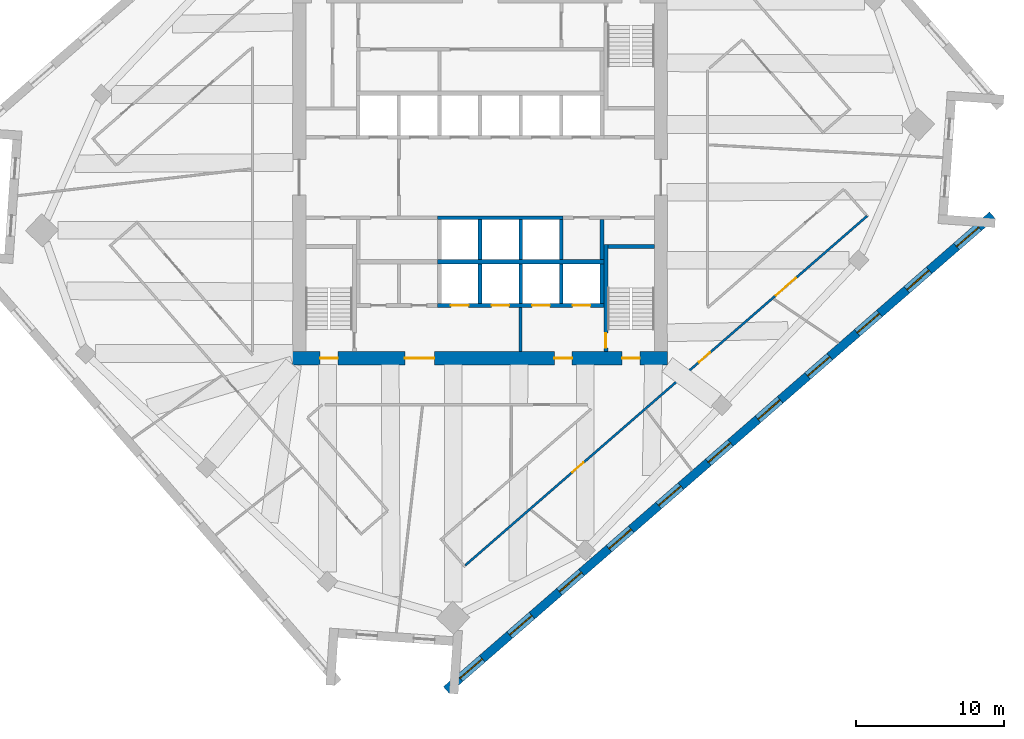
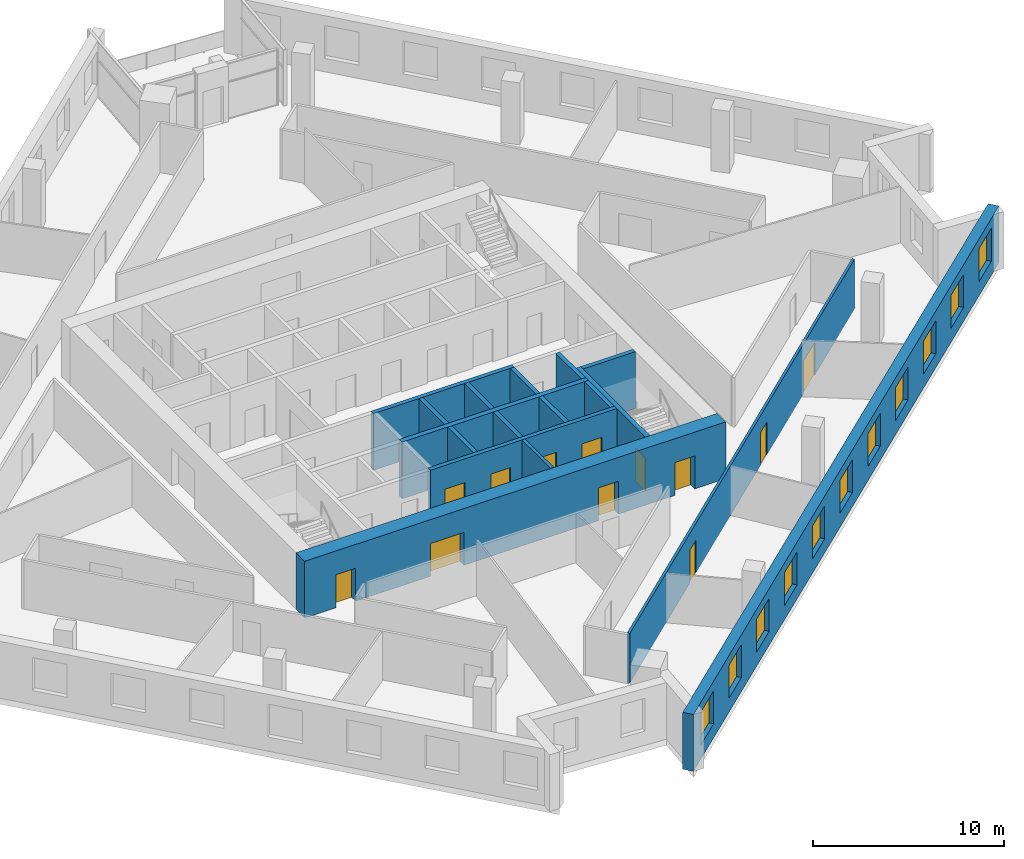
# One storey, part 5 of 11: 17 walls, 12 doors, 11 windows, 23 openings.
"""IFC4 building model written with IfcOpenShell, lengths in metres."""

from ifc_helpers import new_model, si_unit, direction, frame, frame_2d, origin, place, context, subcontext, project, spatial, rectangle, extrude, material, layer, layer_set, type_object, element, fill, save


model = new_model("IFC4")

# Units and contexts
model_context = context("Model", 3, precision=1e-05, world=origin(), true_north=direction((0.0, 1.0)))
body_context = subcontext(model_context, "Body", "Model", "MODEL_VIEW")
ifc_project = project(units=[si_unit("LENGTHUNIT", "METRE"), si_unit("AREAUNIT", "SQUARE_METRE"), si_unit("VOLUMEUNIT", "CUBIC_METRE"), si_unit("PLANEANGLEUNIT", "RADIAN"), si_unit("MASSUNIT", "GRAM", prefix="KILO")], contexts=[model_context])

# Site, building, storey
site_placement = place(None, origin())
site = spatial("IfcSite", under=ifc_project, at=site_placement, CompositionType="ELEMENT")
building_placement = place(site_placement, origin())
building = spatial("IfcBuilding", under=site, at=building_placement, Name="Dilmun Exchange Tower", CompositionType="ELEMENT")
storey_placement = place(building_placement, frame((0.0, 0.0, 193.300048828125)))
storey = spatial("IfcBuildingStorey", under=building, at=storey_placement, Name="L45", CompositionType="ELEMENT", Elevation=193.300048828125)

# Walls
ifc_material_1 = material(Name="Concrete C40/50", Category="concrete")
ifc_layer_1 = layer(ifc_material_1, 0.199951171875)
ifc_layer_set_1 = layer_set([ifc_layer_1], Name="Concrete C40/50")
wall_type_1 = type_object("IfcWallType", Name="Core partition wall 200", PredefinedType="PARTITIONING", material=ifc_layer_set_1)
wall_1_placement = place(storey_placement, frame((2.75, -11.794921875, 0.0), z_axis=(0.0, 0.0, 1.0), x_axis=(0.0, 1.0, 0.0)))
element("IfcWall", 1, at=wall_1_placement, inside=storey, type_object=wall_type_1, Name="L45 core partition wall 01", PredefinedType="PARTITIONING", context=body_context, shape_type="SweptSolid", body=[
    extrude(rectangle(XDim=2.989990234375, YDim=0.199951171875, at=frame_2d((1.4951171875, 0.0))), origin(), (0.0, 0.0, 1.0), 3.619873046875),
])
ifc_layer_2 = layer(ifc_material_1, 0.25)
ifc_layer_set_2 = layer_set([ifc_layer_2], Name="Concrete C40/50")
wall_type_2 = type_object("IfcWallType", Name="Core partition wall 250", PredefinedType="PARTITIONING", material=ifc_layer_set_2)
wall_2_placement = place(storey_placement, frame((8.25, -5.544921875, 0.0), z_axis=(0.0, 0.0, 1.0), x_axis=(0.0, 1.0, 0.0)))
element("IfcWall", 2, at=wall_2_placement, inside=storey, type_object=wall_type_2, Name="L45 core partition wall 07", PredefinedType="PARTITIONING", context=body_context, shape_type="SweptSolid", body=[
    extrude(rectangle(XDim=2.68994140625, YDim=0.25, at=frame_2d((1.344970703125, 0.0))), origin(), (0.0, 0.0, 1.0), 3.619873046875),
])

# Wall, openings, doors
ifc_material_2 = material(Name="Concrete C60/75", Category="concrete")
ifc_layer_3 = layer(ifc_material_2, 0.89990234375)
ifc_layer_set_3 = layer_set([ifc_layer_3], Name="Concrete C60/75")
wall_type_3 = type_object("IfcWallType", Name="Core shear wall 900 Concrete C60/75", PredefinedType="SHEAR", material=ifc_layer_set_3)
wall_3_placement = place(storey_placement, frame((-12.699951171875, -12.25, 0.0), z_axis=(0.0, 0.0, 1.0), x_axis=(1.0, 0.0, 0.0)))
wall_3 = element("IfcWall", 3, at=wall_3_placement, inside=storey, type_object=wall_type_3, Name="L45 core shear wall S", PredefinedType="SHEAR", context=body_context, shape_type="SweptSolid", body=[
    extrude(rectangle(XDim=25.39990234375, YDim=0.89990234375, at=frame_2d((12.699951171875, 0.0))), origin(), (0.0, 0.0, 1.0), 3.619873046875),
])
opening_1_placement = place(wall_3_placement, frame((7.60009765625, 0.0, 0.0)))
opening_1 = element("IfcOpeningElement", 4, at=opening_1_placement, cuts=wall_3, Name="Opening CD2", PredefinedType="OPENING", context=body_context, shape_type="SweptSolid", body=[
    extrude(rectangle(XDim=2.0, YDim=2.10009765625, at=frame_2d((1.0, 1.050048828125))), frame((0.0, 0.4599609375, 0.0), z_axis=(0.0, -1.0, 0.0), x_axis=(1.0, 0.0, 0.0)), (0.0, 0.0, 1.0), 0.919921875),
])
opening_2_placement = place(wall_3_placement, frame((17.72509765625, 0.0, 0.0)))
opening_2 = element("IfcOpeningElement", 5, at=opening_2_placement, cuts=wall_3, Name="Opening CD3", PredefinedType="OPENING", context=body_context, shape_type="SweptSolid", body=[
    extrude(rectangle(XDim=1.199951171875, YDim=2.10009765625, at=frame_2d((0.60009765625, 1.050048828125))), frame((0.0, 0.4599609375, 0.0), z_axis=(0.0, -1.0, 0.0), x_axis=(1.0, 0.0, 0.0)), (0.0, 0.0, 1.0), 0.919921875),
])
opening_3_placement = place(wall_3_placement, frame((1.875, 0.0, 0.0)))
opening_3 = element("IfcOpeningElement", 6, at=opening_3_placement, cuts=wall_3, Name="Opening CD3", PredefinedType="OPENING", context=body_context, shape_type="SweptSolid", body=[
    extrude(rectangle(XDim=1.199951171875, YDim=2.10009765625, at=frame_2d((0.60009765625, 1.050048828125))), frame((0.0, 0.4599609375, 0.0), z_axis=(0.0, -1.0, 0.0), x_axis=(1.0, 0.0, 0.0)), (0.0, 0.0, 1.0), 0.919921875),
])
opening_4_placement = place(wall_3_placement, frame((22.324951171875, 0.0, 0.0)))
opening_4 = element("IfcOpeningElement", 7, at=opening_4_placement, cuts=wall_3, Name="Opening CD3", PredefinedType="OPENING", context=body_context, shape_type="SweptSolid", body=[
    extrude(rectangle(XDim=1.199951171875, YDim=2.10009765625, at=frame_2d((0.60009765625, 1.050048828125))), frame((0.0, 0.4599609375, 0.0), z_axis=(0.0, -1.0, 0.0), x_axis=(1.0, 0.0, 0.0)), (0.0, 0.0, 1.0), 0.919921875),
])
ifc_material_3 = material(Name="Fire-rated steel door set", Category="steel")
door_type_1 = type_object("IfcDoorType", Name="Core service door 2000x2100", OperationType="DOUBLE_DOOR_DOUBLE_SWING", PredefinedType="DOOR", material=ifc_material_3)
door_1_placement = place(opening_1_placement, origin())
door_1 = element("IfcDoor", 8, at=door_1_placement, inside=storey, type_object=door_type_1, Name="L45 door South service lobby", OperationType="SINGLE_SWING_LEFT", OverallHeight=2.10009765625, OverallWidth=2.0, PredefinedType="DOOR", context=body_context, shape_type="SweptSolid", body=[
    extrude(rectangle(XDim=2.0, YDim=2.10009765625, at=frame_2d((1.0, 1.050048828125))), frame((0.0, 0.02490234375, 0.0), z_axis=(0.0, -1.0, 0.0), x_axis=(1.0, 0.0, 0.0)), (0.0, 0.0, 1.0), 0.050048828125),
])
fill(opening_1, door_1)
door_type_2 = type_object("IfcDoorType", Name="Stair exit door 1200x2100", OperationType="SINGLE_SWING_LEFT", PredefinedType="DOOR", material=ifc_material_3)
door_2_placement = place(opening_2_placement, origin())
door_2 = element("IfcDoor", 9, at=door_2_placement, inside=storey, type_object=door_type_2, Name="L45 door Fire-fighting lobby", OperationType="SINGLE_SWING_LEFT", OverallHeight=2.10009765625, OverallWidth=1.199951171875, PredefinedType="DOOR", context=body_context, shape_type="SweptSolid", body=[
    extrude(rectangle(XDim=1.199951171875, YDim=2.10009765625, at=frame_2d((0.60009765625, 1.050048828125))), frame((0.0, 0.02490234375, 0.0), z_axis=(0.0, -1.0, 0.0), x_axis=(1.0, 0.0, 0.0)), (0.0, 0.0, 1.0), 0.050048828125),
])
fill(opening_2, door_2)
door_3_placement = place(opening_3_placement, origin())
door_3 = element("IfcDoor", 10, at=door_3_placement, inside=storey, type_object=door_type_2, Name="L45 door Stair ST2", OperationType="SINGLE_SWING_LEFT", OverallHeight=2.10009765625, OverallWidth=1.199951171875, PredefinedType="DOOR", context=body_context, shape_type="SweptSolid", body=[
    extrude(rectangle(XDim=1.199951171875, YDim=2.10009765625, at=frame_2d((0.60009765625, 1.050048828125))), frame((0.0, 0.02490234375, 0.0), z_axis=(0.0, -1.0, 0.0), x_axis=(1.0, 0.0, 0.0)), (0.0, 0.0, 1.0), 0.050048828125),
])
fill(opening_3, door_3)
door_4_placement = place(opening_4_placement, origin())
door_4 = element("IfcDoor", 11, at=door_4_placement, inside=storey, type_object=door_type_2, Name="L45 door Stair ST3", OperationType="SINGLE_SWING_LEFT", OverallHeight=2.10009765625, OverallWidth=1.199951171875, PredefinedType="DOOR", context=body_context, shape_type="SweptSolid", body=[
    extrude(rectangle(XDim=1.199951171875, YDim=2.10009765625, at=frame_2d((0.60009765625, 1.050048828125))), frame((0.0, 0.02490234375, 0.0), z_axis=(0.0, -1.0, 0.0), x_axis=(1.0, 0.0, 0.0)), (0.0, 0.0, 1.0), 0.050048828125),
])
fill(opening_4, door_4)

ifc_material_4 = material(Name="Corridor wall 150")
ifc_layer_4 = layer(ifc_material_4, 0.14990234375)
ifc_layer_set_4 = layer_set([ifc_layer_4], Name="Corridor wall 150")
wall_type_4 = type_object("IfcWallType", Name="Corridor wall 150", PredefinedType="PARTITIONING", material=ifc_layer_set_4)
wall_4_placement = place(storey_placement, frame((-1.00048828125, -26.267822265625, 0.0), z_axis=(0.0, 0.0, 1.0), x_axis=(0.754711356604, 0.656056985492, 0.0)))
wall_4 = element("IfcWall", 12, at=wall_4_placement, inside=storey, type_object=wall_type_4, Name="Corridor wall", PredefinedType="PARTITIONING", context=body_context, shape_type="SweptSolid", body=[
    extrude(rectangle(XDim=36.051513671875, YDim=0.14990234375, at=frame_2d((18.02587890625, 0.0))), origin(), (0.0, 0.0, 1.0), 3.169921875),
])
opening_5_placement = place(wall_4_placement, frame((9.597900390625, 0.0, 0.0)))
opening_5 = element("IfcOpeningElement", 13, at=opening_5_placement, cuts=wall_4, Name="Opening TF44-D13", PredefinedType="OPENING", context=body_context, shape_type="SweptSolid", body=[
    extrude(rectangle(XDim=1.0, YDim=2.10009765625, at=frame_2d((0.5, 1.050048828125))), frame((0.0, 0.0849609375, 0.0), z_axis=(0.0, -1.0, 0.0), x_axis=(1.0, 0.0, 0.0)), (0.0, 0.0, 1.0), 0.169921875),
])
opening_6_placement = place(wall_4_placement, frame((20.957275390625, 0.0, 0.0)))
opening_6 = element("IfcOpeningElement", 14, at=opening_6_placement, cuts=wall_4, Name="Opening TF44-D14", PredefinedType="OPENING", context=body_context, shape_type="SweptSolid", body=[
    extrude(rectangle(XDim=1.0, YDim=2.10009765625, at=frame_2d((0.5, 1.050048828125))), frame((0.0, 0.0849609375, 0.0), z_axis=(0.0, -1.0, 0.0), x_axis=(1.0, 0.0, 0.0)), (0.0, 0.0, 1.0), 0.169921875),
])
opening_7_placement = place(wall_4_placement, frame((27.86962890625, 0.0, 0.0)))
opening_7 = element("IfcOpeningElement", 15, at=opening_7_placement, cuts=wall_4, Name="Opening TF44-D15", PredefinedType="OPENING", context=body_context, shape_type="SweptSolid", body=[
    extrude(rectangle(XDim=1.800048828125, YDim=2.10009765625, at=frame_2d((0.89990234375, 1.050048828125))), frame((0.0, 0.0849609375, 0.0), z_axis=(0.0, -1.0, 0.0), x_axis=(1.0, 0.0, 0.0)), (0.0, 0.0, 1.0), 0.169921875),
])
ifc_material_5 = material(Name="Fire door 1000 x 2100")
door_type_3 = type_object("IfcDoorType", Name="Fire door 1000 x 2100", OperationType="NOTDEFINED", PredefinedType="DOOR", material=ifc_material_5)
door_5_placement = place(opening_5_placement, frame((1.0, 0.0, 0.0), z_axis=(0.0, 0.0, 1.0), x_axis=(-1.0, 0.0, 0.0)))
door_5 = element("IfcDoor", 16, at=door_5_placement, inside=storey, type_object=door_type_3, Name="Door TF44-D13", OperationType="SINGLE_SWING_LEFT", OverallHeight=2.10009765625, OverallWidth=1.0, PredefinedType="DOOR", context=body_context, shape_type="SweptSolid", body=[
    extrude(rectangle(XDim=1.0, YDim=2.10009765625, at=frame_2d((0.5, 1.050048828125))), frame((0.0, 0.02490234375, 0.0), z_axis=(0.0, -1.0, 0.0), x_axis=(1.0, 0.0, 0.0)), (0.0, 0.0, 1.0), 0.050048828125),
])
fill(opening_5, door_5)
door_6_placement = place(opening_6_placement, frame((1.0, 0.0, 0.0), z_axis=(0.0, 0.0, 1.0), x_axis=(-1.0, 0.0, 0.0)))
door_6 = element("IfcDoor", 17, at=door_6_placement, inside=storey, type_object=door_type_3, Name="Door TF44-D14", OperationType="SINGLE_SWING_LEFT", OverallHeight=2.10009765625, OverallWidth=1.0, PredefinedType="DOOR", context=body_context, shape_type="SweptSolid", body=[
    extrude(rectangle(XDim=1.0, YDim=2.10009765625, at=frame_2d((0.5, 1.050048828125))), frame((0.0, 0.02490234375, 0.0), z_axis=(0.0, -1.0, 0.0), x_axis=(1.0, 0.0, 0.0)), (0.0, 0.0, 1.0), 0.050048828125),
])
fill(opening_6, door_6)
ifc_material_6 = material(Name="Fire door pair 1800 x 2100")
door_type_4 = type_object("IfcDoorType", Name="Fire door pair 1800 x 2100", OperationType="NOTDEFINED", PredefinedType="DOOR", material=ifc_material_6)
door_7_placement = place(opening_7_placement, frame((1.800048828125, 0.0, 0.0), z_axis=(0.0, 0.0, 1.0), x_axis=(-1.0, 0.0, 0.0)))
door_7 = element("IfcDoor", 18, at=door_7_placement, inside=storey, type_object=door_type_4, Name="Door TF44-D15", OperationType="DOUBLE_DOOR_SINGLE_SWING", OverallHeight=2.10009765625, OverallWidth=1.800048828125, PredefinedType="DOOR", context=body_context, shape_type="SweptSolid", body=[
    extrude(rectangle(XDim=1.800048828125, YDim=2.10009765625, at=frame_2d((0.89990234375, 1.050048828125))), frame((0.0, 0.02490234375, 0.0), z_axis=(0.0, -1.0, 0.0), x_axis=(1.0, 0.0, 0.0)), (0.0, 0.0, 1.0), 0.050048828125),
])
fill(opening_7, door_7)

# Walls
ifc_layer_5 = layer(ifc_material_1, 0.300048828125)
ifc_layer_set_5 = layer_set([ifc_layer_5], Name="Concrete C40/50")
wall_type_5 = type_object("IfcWallType", Name="Lift shaft shared wall 300", PredefinedType="SOLIDWALL", material=ifc_layer_set_5)
wall_5_placement = place(storey_placement, frame((-2.875, -5.699951171875, 0.0), z_axis=(0.0, 0.0, 1.0), x_axis=(1.0, 0.0, 0.0)))
element("IfcWall", 19, at=wall_5_placement, inside=storey, type_object=wall_type_5, Name="L45 lift shaft rear wall S", PredefinedType="SOLIDWALL", context=body_context, shape_type="SweptSolid", body=[
    extrude(rectangle(XDim=11.25, YDim=0.300048828125, at=frame_2d((5.625, 0.0))), origin(), (0.0, 0.0, 1.0), 3.619873046875),
])
ifc_layer_6 = layer(ifc_material_1, 0.25)
ifc_layer_set_6 = layer_set([ifc_layer_6], Name="Concrete C40/50")
wall_type_6 = type_object("IfcWallType", Name="Lift shaft wall 250", PredefinedType="SOLIDWALL", material=ifc_layer_set_6)
wall_6_placement = place(storey_placement, frame((-2.875, -2.72509765625, 0.0), z_axis=(0.0, 0.0, 1.0), x_axis=(1.0, 0.0, 0.0)))
element("IfcWall", 20, at=wall_6_placement, inside=storey, type_object=wall_type_6, Name="L45 lift shaft front wall S1", PredefinedType="SOLIDWALL", context=body_context, shape_type="SweptSolid", body=[
    extrude(rectangle(XDim=8.5, YDim=0.25, at=frame_2d((4.25, 0.0))), origin(), (0.0, 0.0, 1.0), 3.619873046875),
])
for number, where, z_axis, x_axis, name in (
    (21, (0.0, -5.550048828125, 0.0), (0.0, 0.0, 1.0), (0.0, 1.0, 0.0), "L45 lift shaft divider S13"),
    (22, (2.75, -5.550048828125, 0.0), (0.0, 0.0, 1.0), (0.0, 1.0, 0.0), "L45 lift shaft divider S14"),
    (23, (5.5, -5.550048828125, 0.0), (0.0, 0.0, 1.0), (0.0, 1.0, 0.0), "L45 lift shaft divider S15"),
):
    element("IfcWall", number, at=place(storey_placement, frame(where, z_axis=z_axis, x_axis=x_axis)), inside=storey, type_object=wall_type_6, Name=name, PredefinedType="SOLIDWALL", context=body_context, shape_type="SweptSolid", body=[
        extrude(rectangle(XDim=2.699951171875, YDim=0.25, at=frame_2d((1.35009765625, 0.0))), origin(), (0.0, 0.0, 1.0), 3.619873046875),
    ])

# Wall, openings, doors
wall_7_placement = place(storey_placement, frame((-2.875, -8.675048828125, 0.0), z_axis=(0.0, 0.0, 1.0), x_axis=(1.0, 0.0, 0.0)))
wall_7 = element("IfcWall", 24, at=wall_7_placement, inside=storey, type_object=wall_type_6, Name="L45 lift shaft front wall S2", PredefinedType="SOLIDWALL", context=body_context, shape_type="SweptSolid", body=[
    extrude(rectangle(XDim=11.25, YDim=0.25, at=frame_2d((5.625, 0.0))), origin(), (0.0, 0.0, 1.0), 3.619873046875),
])
opening_8_placement = place(wall_7_placement, frame((0.89990234375, 0.0, 0.0)))
opening_8 = element("IfcOpeningElement", 25, at=opening_8_placement, cuts=wall_7, Name="Opening LD", PredefinedType="OPENING", context=body_context, shape_type="SweptSolid", body=[
    extrude(rectangle(XDim=1.199951171875, YDim=2.10009765625, at=frame_2d((0.60009765625, 1.050048828125))), frame((0.0, 0.135009765625, 0.0), z_axis=(0.0, -1.0, 0.0), x_axis=(1.0, 0.0, 0.0)), (0.0, 0.0, 1.0), 0.27001953125),
])
opening_9_placement = place(wall_7_placement, frame((3.64990234375, 0.0, 0.0)))
opening_9 = element("IfcOpeningElement", 26, at=opening_9_placement, cuts=wall_7, Name="Opening LD", PredefinedType="OPENING", context=body_context, shape_type="SweptSolid", body=[
    extrude(rectangle(XDim=1.199951171875, YDim=2.10009765625, at=frame_2d((0.60009765625, 1.050048828125))), frame((0.0, 0.135009765625, 0.0), z_axis=(0.0, -1.0, 0.0), x_axis=(1.0, 0.0, 0.0)), (0.0, 0.0, 1.0), 0.27001953125),
])
opening_10_placement = place(wall_7_placement, frame((6.39990234375, 0.0, 0.0)))
opening_10 = element("IfcOpeningElement", 27, at=opening_10_placement, cuts=wall_7, Name="Opening LD", PredefinedType="OPENING", context=body_context, shape_type="SweptSolid", body=[
    extrude(rectangle(XDim=1.199951171875, YDim=2.10009765625, at=frame_2d((0.60009765625, 1.050048828125))), frame((0.0, 0.135009765625, 0.0), z_axis=(0.0, -1.0, 0.0), x_axis=(1.0, 0.0, 0.0)), (0.0, 0.0, 1.0), 0.27001953125),
])
opening_11_placement = place(wall_7_placement, frame((9.14990234375, 0.0, 0.0)))
opening_11 = element("IfcOpeningElement", 28, at=opening_11_placement, cuts=wall_7, Name="Opening LD", PredefinedType="OPENING", context=body_context, shape_type="SweptSolid", body=[
    extrude(rectangle(XDim=1.199951171875, YDim=2.10009765625, at=frame_2d((0.60009765625, 1.050048828125))), frame((0.0, 0.135009765625, 0.0), z_axis=(0.0, -1.0, 0.0), x_axis=(1.0, 0.0, 0.0)), (0.0, 0.0, 1.0), 0.27001953125),
])
door_type_5 = type_object("IfcDoorType", Name="Lift landing door 1200x2100", OperationType="DOUBLE_DOOR_SLIDING", PredefinedType="DOOR", material=ifc_material_3)
door_8_placement = place(opening_8_placement, origin())
door_8 = element("IfcDoor", 29, at=door_8_placement, inside=storey, type_object=door_type_5, Name="L45 landing door SV1", OperationType="DOUBLE_DOOR_SLIDING", OverallHeight=2.10009765625, OverallWidth=1.199951171875, PredefinedType="DOOR", context=body_context, shape_type="SweptSolid", body=[
    extrude(rectangle(XDim=1.199951171875, YDim=2.10009765625, at=frame_2d((0.60009765625, 1.050048828125))), frame((0.0, 0.02490234375, 0.0), z_axis=(0.0, -1.0, 0.0), x_axis=(1.0, 0.0, 0.0)), (0.0, 0.0, 1.0), 0.050048828125),
])
fill(opening_8, door_8)
door_9_placement = place(opening_9_placement, origin())
door_9 = element("IfcDoor", 30, at=door_9_placement, inside=storey, type_object=door_type_5, Name="L45 landing door SV2", OperationType="DOUBLE_DOOR_SLIDING", OverallHeight=2.10009765625, OverallWidth=1.199951171875, PredefinedType="DOOR", context=body_context, shape_type="SweptSolid", body=[
    extrude(rectangle(XDim=1.199951171875, YDim=2.10009765625, at=frame_2d((0.60009765625, 1.050048828125))), frame((0.0, 0.02490234375, 0.0), z_axis=(0.0, -1.0, 0.0), x_axis=(1.0, 0.0, 0.0)), (0.0, 0.0, 1.0), 0.050048828125),
])
fill(opening_9, door_9)
door_10_placement = place(opening_10_placement, origin())
door_10 = element("IfcDoor", 31, at=door_10_placement, inside=storey, type_object=door_type_5, Name="L45 landing door FF1", OperationType="DOUBLE_DOOR_SLIDING", OverallHeight=2.10009765625, OverallWidth=1.199951171875, PredefinedType="DOOR", context=body_context, shape_type="SweptSolid", body=[
    extrude(rectangle(XDim=1.199951171875, YDim=2.10009765625, at=frame_2d((0.60009765625, 1.050048828125))), frame((0.0, 0.02490234375, 0.0), z_axis=(0.0, -1.0, 0.0), x_axis=(1.0, 0.0, 0.0)), (0.0, 0.0, 1.0), 0.050048828125),
])
fill(opening_10, door_10)
door_11_placement = place(opening_11_placement, origin())
door_11 = element("IfcDoor", 32, at=door_11_placement, inside=storey, type_object=door_type_5, Name="L45 landing door FF2", OperationType="DOUBLE_DOOR_SLIDING", OverallHeight=2.10009765625, OverallWidth=1.199951171875, PredefinedType="DOOR", context=body_context, shape_type="SweptSolid", body=[
    extrude(rectangle(XDim=1.199951171875, YDim=2.10009765625, at=frame_2d((0.60009765625, 1.050048828125))), frame((0.0, 0.02490234375, 0.0), z_axis=(0.0, -1.0, 0.0), x_axis=(1.0, 0.0, 0.0)), (0.0, 0.0, 1.0), 0.050048828125),
])
fill(opening_11, door_11)

# Walls
for number, where, z_axis, x_axis, name in (
    (33, (0.0, -8.550048828125, 0.0), (0.0, 0.0, 1.0), (0.0, 1.0, 0.0), "L45 lift shaft divider S23"),
    (34, (2.75, -8.550048828125, 0.0), (0.0, 0.0, 1.0), (0.0, 1.0, 0.0), "L45 lift shaft divider S24"),
    (35, (5.5, -8.550048828125, 0.0), (0.0, 0.0, 1.0), (0.0, 1.0, 0.0), "L45 lift shaft divider S25"),
    (36, (8.25, -8.550048828125, 0.0), (0.0, 0.0, 1.0), (0.0, 1.0, 0.0), "L45 lift shaft divider S26"),
):
    element("IfcWall", number, at=place(storey_placement, frame(where, z_axis=z_axis, x_axis=x_axis)), inside=storey, type_object=wall_type_6, Name=name, PredefinedType="SOLIDWALL", context=body_context, shape_type="SweptSolid", body=[
        extrude(rectangle(XDim=2.699951171875, YDim=0.25, at=frame_2d((1.35009765625, 0.0))), origin(), (0.0, 0.0, 1.0), 3.619873046875),
    ])

# Wall, openings, windows
ifc_material_7 = material(Name="Precast concrete C50/60", Category="concrete")
ifc_layer_7 = layer(ifc_material_7, 0.60009765625)
ifc_layer_set_7 = layer_set([ifc_layer_7], Name="Precast concrete C50/60")
wall_type_7 = type_object("IfcWallType", Name="Precast stone-clad wall 600", PredefinedType="STANDARD", material=ifc_layer_set_7)
wall_8_placement = place(storey_placement, frame((-2.28564453125, -34.71484375, 0.0), z_axis=(0.0, 0.0, 1.0), x_axis=(0.754708272811, 0.656060532993, 0.0)))
wall_8 = element("IfcWall", 37, at=wall_8_placement, inside=storey, type_object=wall_type_7, Name="Facade wall L45-11", PredefinedType="STANDARD", context=body_context, shape_type="SweptSolid", body=[
    extrude(rectangle(XDim=49.0, YDim=0.60009765625, at=frame_2d((24.5, 0.0))), origin(), (0.0, 0.0, 1.0), 3.619873046875),
])
opening_12_placement = place(wall_8_placement, frame((1.227294921875, 0.0, 0.89990234375)))
opening_12 = element("IfcOpeningElement", 38, at=opening_12_placement, cuts=wall_8, Name="Opening W200-210", PredefinedType="OPENING", context=body_context, shape_type="SweptSolid", body=[
    extrude(rectangle(XDim=2.0, YDim=2.10009765625, at=frame_2d((1.0, 1.050048828125))), frame((0.0, 0.31005859375, 0.0), z_axis=(0.0, -1.0, 0.0), x_axis=(1.0, 0.0, 0.0)), (0.0, 0.0, 1.0), 0.6201171875),
])
opening_13_placement = place(wall_8_placement, frame((5.681884765625, 0.0, 0.89990234375)))
opening_13 = element("IfcOpeningElement", 39, at=opening_13_placement, cuts=wall_8, Name="Opening W200-210", PredefinedType="OPENING", context=body_context, shape_type="SweptSolid", body=[
    extrude(rectangle(XDim=2.0, YDim=2.10009765625, at=frame_2d((1.0, 1.050048828125))), frame((0.0, 0.31005859375, 0.0), z_axis=(0.0, -1.0, 0.0), x_axis=(1.0, 0.0, 0.0)), (0.0, 0.0, 1.0), 0.6201171875),
])
opening_14_placement = place(wall_8_placement, frame((10.136474609375, 0.0, 0.89990234375)))
opening_14 = element("IfcOpeningElement", 40, at=opening_14_placement, cuts=wall_8, Name="Opening W200-210", PredefinedType="OPENING", context=body_context, shape_type="SweptSolid", body=[
    extrude(rectangle(XDim=2.0, YDim=2.10009765625, at=frame_2d((1.0, 1.050048828125))), frame((0.0, 0.31005859375, 0.0), z_axis=(0.0, -1.0, 0.0), x_axis=(1.0, 0.0, 0.0)), (0.0, 0.0, 1.0), 0.6201171875),
])
opening_15_placement = place(wall_8_placement, frame((14.5908203125, 0.0, 0.89990234375)))
opening_15 = element("IfcOpeningElement", 41, at=opening_15_placement, cuts=wall_8, Name="Opening W200-210", PredefinedType="OPENING", context=body_context, shape_type="SweptSolid", body=[
    extrude(rectangle(XDim=2.0, YDim=2.10009765625, at=frame_2d((1.0, 1.050048828125))), frame((0.0, 0.31005859375, 0.0), z_axis=(0.0, -1.0, 0.0), x_axis=(1.0, 0.0, 0.0)), (0.0, 0.0, 1.0), 0.6201171875),
])
opening_16_placement = place(wall_8_placement, frame((19.04541015625, 0.0, 0.89990234375)))
opening_16 = element("IfcOpeningElement", 42, at=opening_16_placement, cuts=wall_8, Name="Opening W200-210", PredefinedType="OPENING", context=body_context, shape_type="SweptSolid", body=[
    extrude(rectangle(XDim=2.0, YDim=2.10009765625, at=frame_2d((1.0, 1.050048828125))), frame((0.0, 0.31005859375, 0.0), z_axis=(0.0, -1.0, 0.0), x_axis=(1.0, 0.0, 0.0)), (0.0, 0.0, 1.0), 0.6201171875),
])
opening_17_placement = place(wall_8_placement, frame((23.5, 0.0, 0.89990234375)))
opening_17 = element("IfcOpeningElement", 43, at=opening_17_placement, cuts=wall_8, Name="Opening W200-210", PredefinedType="OPENING", context=body_context, shape_type="SweptSolid", body=[
    extrude(rectangle(XDim=2.0, YDim=2.10009765625, at=frame_2d((1.0, 1.050048828125))), frame((0.0, 0.31005859375, 0.0), z_axis=(0.0, -1.0, 0.0), x_axis=(1.0, 0.0, 0.0)), (0.0, 0.0, 1.0), 0.6201171875),
])
opening_18_placement = place(wall_8_placement, frame((27.95458984375, 0.0, 0.89990234375)))
opening_18 = element("IfcOpeningElement", 44, at=opening_18_placement, cuts=wall_8, Name="Opening W200-210", PredefinedType="OPENING", context=body_context, shape_type="SweptSolid", body=[
    extrude(rectangle(XDim=2.0, YDim=2.10009765625, at=frame_2d((1.0, 1.050048828125))), frame((0.0, 0.31005859375, 0.0), z_axis=(0.0, -1.0, 0.0), x_axis=(1.0, 0.0, 0.0)), (0.0, 0.0, 1.0), 0.6201171875),
])
opening_19_placement = place(wall_8_placement, frame((32.4091796875, 0.0, 0.89990234375)))
opening_19 = element("IfcOpeningElement", 45, at=opening_19_placement, cuts=wall_8, Name="Opening W200-210", PredefinedType="OPENING", context=body_context, shape_type="SweptSolid", body=[
    extrude(rectangle(XDim=2.0, YDim=2.10009765625, at=frame_2d((1.0, 1.050048828125))), frame((0.0, 0.31005859375, 0.0), z_axis=(0.0, -1.0, 0.0), x_axis=(1.0, 0.0, 0.0)), (0.0, 0.0, 1.0), 0.6201171875),
])
opening_20_placement = place(wall_8_placement, frame((36.863525390625, 0.0, 0.89990234375)))
opening_20 = element("IfcOpeningElement", 46, at=opening_20_placement, cuts=wall_8, Name="Opening W200-210", PredefinedType="OPENING", context=body_context, shape_type="SweptSolid", body=[
    extrude(rectangle(XDim=2.0, YDim=2.10009765625, at=frame_2d((1.0, 1.050048828125))), frame((0.0, 0.31005859375, 0.0), z_axis=(0.0, -1.0, 0.0), x_axis=(1.0, 0.0, 0.0)), (0.0, 0.0, 1.0), 0.6201171875),
])
opening_21_placement = place(wall_8_placement, frame((41.318115234375, 0.0, 0.89990234375)))
opening_21 = element("IfcOpeningElement", 47, at=opening_21_placement, cuts=wall_8, Name="Opening W200-210", PredefinedType="OPENING", context=body_context, shape_type="SweptSolid", body=[
    extrude(rectangle(XDim=2.0, YDim=2.10009765625, at=frame_2d((1.0, 1.050048828125))), frame((0.0, 0.31005859375, 0.0), z_axis=(0.0, -1.0, 0.0), x_axis=(1.0, 0.0, 0.0)), (0.0, 0.0, 1.0), 0.6201171875),
])
opening_22_placement = place(wall_8_placement, frame((45.772705078125, 0.0, 0.89990234375)))
opening_22 = element("IfcOpeningElement", 48, at=opening_22_placement, cuts=wall_8, Name="Opening W200-210", PredefinedType="OPENING", context=body_context, shape_type="SweptSolid", body=[
    extrude(rectangle(XDim=2.0, YDim=2.10009765625, at=frame_2d((1.0, 1.050048828125))), frame((0.0, 0.31005859375, 0.0), z_axis=(0.0, -1.0, 0.0), x_axis=(1.0, 0.0, 0.0)), (0.0, 0.0, 1.0), 0.6201171875),
])
ifc_material_8 = material(Name="Clear low-emissivity glass in aluminium frame", Category="aluminium")
window_type = type_object("IfcWindowType", Name="Punched window 2000 x 2100", PartitioningType="DOUBLE_PANEL_VERTICAL", PredefinedType="WINDOW", material=ifc_material_8)
window_1_placement = place(opening_12_placement, origin())
window_1 = element("IfcWindow", 49, at=window_1_placement, inside=storey, type_object=window_type, Name="Window 12.1", OverallHeight=2.10009765625, OverallWidth=2.0, PartitioningType="SINGLE_PANEL", PredefinedType="WINDOW", context=body_context, shape_type="SweptSolid", body=[
    extrude(rectangle(XDim=2.0, YDim=2.10009765625, at=frame_2d((1.0, 1.050048828125))), frame((0.0, 0.030029296875, 0.0), z_axis=(0.0, -1.0, 0.0), x_axis=(1.0, 0.0, 0.0)), (0.0, 0.0, 1.0), 0.06005859375),
])
fill(opening_12, window_1)
window_2_placement = place(opening_13_placement, origin())
window_2 = element("IfcWindow", 50, at=window_2_placement, inside=storey, type_object=window_type, Name="Window 12.2", OverallHeight=2.10009765625, OverallWidth=2.0, PartitioningType="SINGLE_PANEL", PredefinedType="WINDOW", context=body_context, shape_type="SweptSolid", body=[
    extrude(rectangle(XDim=2.0, YDim=2.10009765625, at=frame_2d((1.0, 1.050048828125))), frame((0.0, 0.030029296875, 0.0), z_axis=(0.0, -1.0, 0.0), x_axis=(1.0, 0.0, 0.0)), (0.0, 0.0, 1.0), 0.06005859375),
])
fill(opening_13, window_2)
window_3_placement = place(opening_14_placement, origin())
window_3 = element("IfcWindow", 51, at=window_3_placement, inside=storey, type_object=window_type, Name="Window 12.3", OverallHeight=2.10009765625, OverallWidth=2.0, PartitioningType="SINGLE_PANEL", PredefinedType="WINDOW", context=body_context, shape_type="SweptSolid", body=[
    extrude(rectangle(XDim=2.0, YDim=2.10009765625, at=frame_2d((1.0, 1.050048828125))), frame((0.0, 0.030029296875, 0.0), z_axis=(0.0, -1.0, 0.0), x_axis=(1.0, 0.0, 0.0)), (0.0, 0.0, 1.0), 0.06005859375),
])
fill(opening_14, window_3)
window_4_placement = place(opening_15_placement, origin())
window_4 = element("IfcWindow", 52, at=window_4_placement, inside=storey, type_object=window_type, Name="Window 12.4", OverallHeight=2.10009765625, OverallWidth=2.0, PartitioningType="SINGLE_PANEL", PredefinedType="WINDOW", context=body_context, shape_type="SweptSolid", body=[
    extrude(rectangle(XDim=2.0, YDim=2.10009765625, at=frame_2d((1.0, 1.050048828125))), frame((0.0, 0.030029296875, 0.0), z_axis=(0.0, -1.0, 0.0), x_axis=(1.0, 0.0, 0.0)), (0.0, 0.0, 1.0), 0.06005859375),
])
fill(opening_15, window_4)
window_5_placement = place(opening_16_placement, origin())
window_5 = element("IfcWindow", 53, at=window_5_placement, inside=storey, type_object=window_type, Name="Window 12.5", OverallHeight=2.10009765625, OverallWidth=2.0, PartitioningType="SINGLE_PANEL", PredefinedType="WINDOW", context=body_context, shape_type="SweptSolid", body=[
    extrude(rectangle(XDim=2.0, YDim=2.10009765625, at=frame_2d((1.0, 1.050048828125))), frame((0.0, 0.030029296875, 0.0), z_axis=(0.0, -1.0, 0.0), x_axis=(1.0, 0.0, 0.0)), (0.0, 0.0, 1.0), 0.06005859375),
])
fill(opening_16, window_5)
window_6_placement = place(opening_17_placement, origin())
window_6 = element("IfcWindow", 54, at=window_6_placement, inside=storey, type_object=window_type, Name="Window 12.6", OverallHeight=2.10009765625, OverallWidth=2.0, PartitioningType="SINGLE_PANEL", PredefinedType="WINDOW", context=body_context, shape_type="SweptSolid", body=[
    extrude(rectangle(XDim=2.0, YDim=2.10009765625, at=frame_2d((1.0, 1.050048828125))), frame((0.0, 0.030029296875, 0.0), z_axis=(0.0, -1.0, 0.0), x_axis=(1.0, 0.0, 0.0)), (0.0, 0.0, 1.0), 0.06005859375),
])
fill(opening_17, window_6)
window_7_placement = place(opening_18_placement, origin())
window_7 = element("IfcWindow", 55, at=window_7_placement, inside=storey, type_object=window_type, Name="Window 12.7", OverallHeight=2.10009765625, OverallWidth=2.0, PartitioningType="SINGLE_PANEL", PredefinedType="WINDOW", context=body_context, shape_type="SweptSolid", body=[
    extrude(rectangle(XDim=2.0, YDim=2.10009765625, at=frame_2d((1.0, 1.050048828125))), frame((0.0, 0.030029296875, 0.0), z_axis=(0.0, -1.0, 0.0), x_axis=(1.0, 0.0, 0.0)), (0.0, 0.0, 1.0), 0.06005859375),
])
fill(opening_18, window_7)
window_8_placement = place(opening_19_placement, origin())
window_8 = element("IfcWindow", 56, at=window_8_placement, inside=storey, type_object=window_type, Name="Window 12.8", OverallHeight=2.10009765625, OverallWidth=2.0, PartitioningType="SINGLE_PANEL", PredefinedType="WINDOW", context=body_context, shape_type="SweptSolid", body=[
    extrude(rectangle(XDim=2.0, YDim=2.10009765625, at=frame_2d((1.0, 1.050048828125))), frame((0.0, 0.030029296875, 0.0), z_axis=(0.0, -1.0, 0.0), x_axis=(1.0, 0.0, 0.0)), (0.0, 0.0, 1.0), 0.06005859375),
])
fill(opening_19, window_8)
window_9_placement = place(opening_20_placement, origin())
window_9 = element("IfcWindow", 57, at=window_9_placement, inside=storey, type_object=window_type, Name="Window 12.9", OverallHeight=2.10009765625, OverallWidth=2.0, PartitioningType="SINGLE_PANEL", PredefinedType="WINDOW", context=body_context, shape_type="SweptSolid", body=[
    extrude(rectangle(XDim=2.0, YDim=2.10009765625, at=frame_2d((1.0, 1.050048828125))), frame((0.0, 0.030029296875, 0.0), z_axis=(0.0, -1.0, 0.0), x_axis=(1.0, 0.0, 0.0)), (0.0, 0.0, 1.0), 0.06005859375),
])
fill(opening_20, window_9)
window_10_placement = place(opening_21_placement, origin())
window_10 = element("IfcWindow", 58, at=window_10_placement, inside=storey, type_object=window_type, Name="Window 12.10", OverallHeight=2.10009765625, OverallWidth=2.0, PartitioningType="SINGLE_PANEL", PredefinedType="WINDOW", context=body_context, shape_type="SweptSolid", body=[
    extrude(rectangle(XDim=2.0, YDim=2.10009765625, at=frame_2d((1.0, 1.050048828125))), frame((0.0, 0.030029296875, 0.0), z_axis=(0.0, -1.0, 0.0), x_axis=(1.0, 0.0, 0.0)), (0.0, 0.0, 1.0), 0.06005859375),
])
fill(opening_21, window_10)
window_11_placement = place(opening_22_placement, origin())
window_11 = element("IfcWindow", 59, at=window_11_placement, inside=storey, type_object=window_type, Name="Window 12.11", OverallHeight=2.10009765625, OverallWidth=2.0, PartitioningType="SINGLE_PANEL", PredefinedType="WINDOW", context=body_context, shape_type="SweptSolid", body=[
    extrude(rectangle(XDim=2.0, YDim=2.10009765625, at=frame_2d((1.0, 1.050048828125))), frame((0.0, 0.030029296875, 0.0), z_axis=(0.0, -1.0, 0.0), x_axis=(1.0, 0.0, 0.0)), (0.0, 0.0, 1.0), 0.06005859375),
])
fill(opening_22, window_11)

# Wall
ifc_layer_8 = layer(ifc_material_1, 0.25)
ifc_layer_set_8 = layer_set([ifc_layer_8], Name="Concrete C40/50")
wall_type_8 = type_object("IfcWallType", Name="Stair end wall 250", PredefinedType="SOLIDWALL", material=ifc_layer_set_8)
wall_9_placement = place(storey_placement, frame((8.64990234375, -4.675048828125, 0.0), z_axis=(0.0, 0.0, 1.0), x_axis=(1.0, 0.0, 0.0)))
element("IfcWall", 60, at=wall_9_placement, inside=storey, type_object=wall_type_8, Name="L45 ST3 far wall", PredefinedType="SOLIDWALL", context=body_context, shape_type="SweptSolid", body=[
    extrude(rectangle(XDim=3.150146484375, YDim=0.25, at=frame_2d((1.5751953125, 0.0))), origin(), (0.0, 0.0, 1.0), 3.619873046875),
])

# Wall, opening, door
ifc_layer_9 = layer(ifc_material_1, 0.27490234375)
ifc_layer_set_9 = layer_set([ifc_layer_9], Name="Concrete C40/50")
wall_type_9 = type_object("IfcWallType", Name="Stair wall 275", PredefinedType="SOLIDWALL", material=ifc_layer_set_9)
wall_10_placement = place(storey_placement, frame((8.512451171875, -4.550048828125, 0.0), z_axis=(0.0, 0.0, 1.0), x_axis=(0.0, -1.0, 0.0)))
wall_10 = element("IfcWall", 61, at=wall_10_placement, inside=storey, type_object=wall_type_9, Name="L45 ST3 wall to lift block", PredefinedType="SOLIDWALL", context=body_context, shape_type="SweptSolid", body=[
    extrude(rectangle(XDim=7.25, YDim=0.27490234375, at=frame_2d((3.625, 0.0))), origin(), (0.0, 0.0, 1.0), 3.619873046875),
])
opening_23_placement = place(wall_10_placement, frame((6.0, 0.0, 0.0)))
opening_23 = element("IfcOpeningElement", 62, at=opening_23_placement, cuts=wall_10, Name="Opening CD4", PredefinedType="OPENING", context=body_context, shape_type="SweptSolid", body=[
    extrude(rectangle(XDim=1.0, YDim=2.10009765625, at=frame_2d((0.5, 1.050048828125))), frame((0.0, 0.1474609375, 0.0), z_axis=(0.0, -1.0, 0.0), x_axis=(1.0, 0.0, 0.0)), (0.0, 0.0, 1.0), 0.294921875),
])
door_type_6 = type_object("IfcDoorType", Name="Core room door 1000x2100", OperationType="SINGLE_SWING_LEFT", PredefinedType="DOOR", material=ifc_material_3)
door_12_placement = place(opening_23_placement, origin())
door_12 = element("IfcDoor", 63, at=door_12_placement, inside=storey, type_object=door_type_6, Name="L45 door ST3 from lobby", OperationType="SINGLE_SWING_LEFT", OverallHeight=2.10009765625, OverallWidth=1.0, PredefinedType="DOOR", context=body_context, shape_type="SweptSolid", body=[
    extrude(rectangle(XDim=1.0, YDim=2.10009765625, at=frame_2d((0.5, 1.050048828125))), frame((0.0, 0.02490234375, 0.0), z_axis=(0.0, -1.0, 0.0), x_axis=(1.0, 0.0, 0.0)), (0.0, 0.0, 1.0), 0.050048828125),
])
fill(opening_23, door_12)

save(model, "model.ifc")
